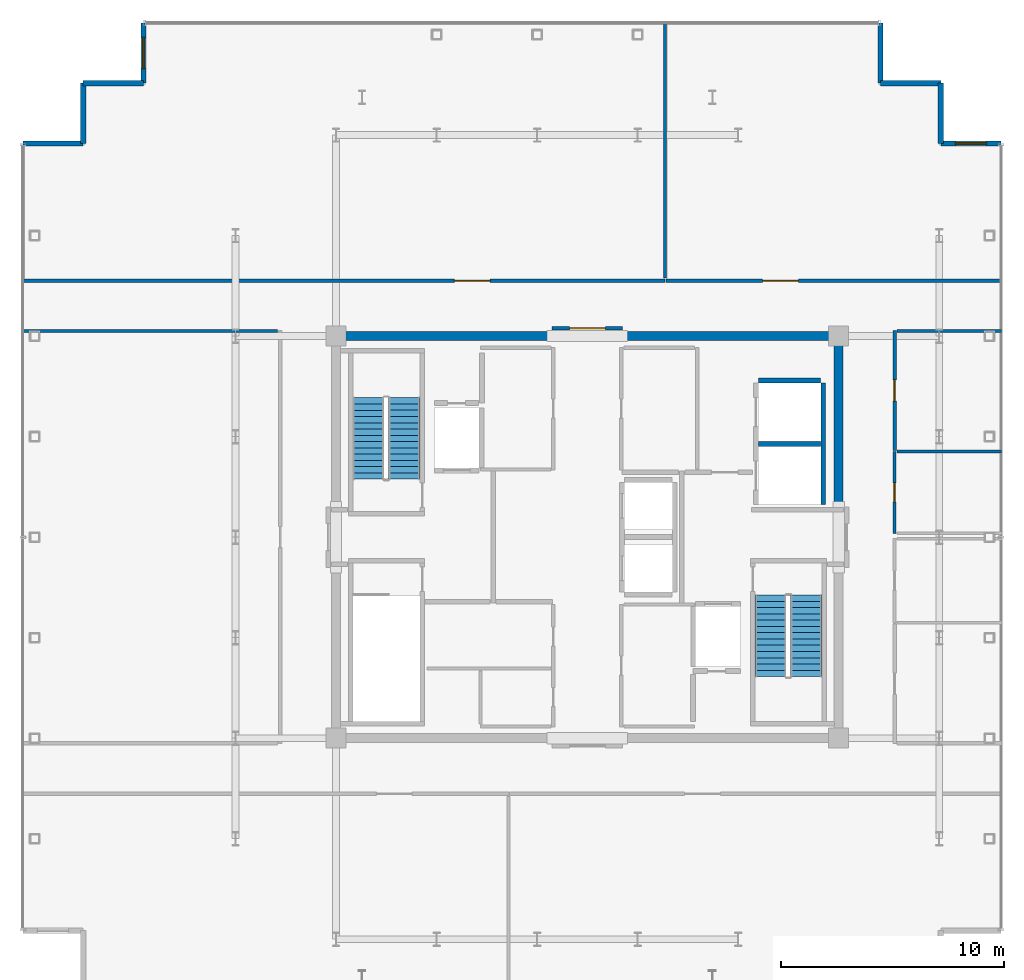
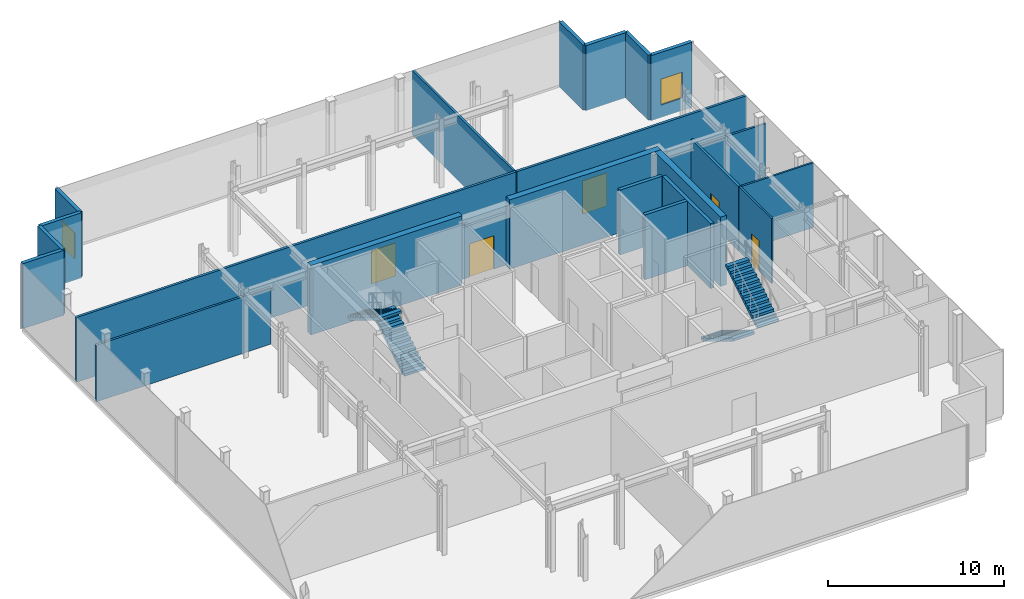
# One storey, part 15 of 17: 23 walls, 5 doors, 4 stair flights, 2 windows, 7 openings, 2 elements without a shape of their own.
"""IFC4 building model written with IfcOpenShell, lengths in metres."""

from ifc_helpers import new_model, si_unit, direction, frame, frame_2d, origin, place, context, subcontext, project, spatial, polyline, rectangle, outline, extrude, source, transform, mapped, material, layer, layer_set, type_object, element, fill, aggregate, save


model = new_model("IFC4")

# Units and contexts
model_context = context("Model", 3, precision=1e-05, world=origin(), true_north=direction((0.0, 1.0)))
body_context = subcontext(model_context, "Body", "Model", "MODEL_VIEW")
ifc_project = project(units=[si_unit("LENGTHUNIT", "METRE"), si_unit("AREAUNIT", "SQUARE_METRE"), si_unit("VOLUMEUNIT", "CUBIC_METRE"), si_unit("PLANEANGLEUNIT", "RADIAN"), si_unit("MASSUNIT", "GRAM", prefix="KILO")], contexts=[model_context])

# Site, building, storey
site_placement = place(None, origin())
site = spatial("IfcSite", under=ifc_project, at=site_placement, CompositionType="ELEMENT")
building_placement = place(site_placement, origin())
building = spatial("IfcBuilding", under=site, at=building_placement, Name="Nefas-Gora Pilgrimage Tower", CompositionType="ELEMENT")
storey_placement = place(building_placement, frame((0.0, 0.0, 353.800048828125)))
storey = spatial("IfcBuildingStorey", under=building, at=storey_placement, Name="L89", CompositionType="ELEMENT", Elevation=353.800048828125)

# Walls
ifc_material_1 = material(Name="Concrete C50/60", Category="concrete")
ifc_layer_1 = layer(ifc_material_1, 0.39990234375)
ifc_layer_set_1 = layer_set([ifc_layer_1], Name="Concrete C50/60")
wall_type_1 = type_object("IfcWallType", Name="SW-CORE-400", PredefinedType="SHEAR", material=ifc_layer_set_1)
shared_shape_1 = source(origin(), body_context, "Body", "SweptSolid", [
    extrude(rectangle(XDim=9.89990234375, YDim=0.39990234375, at=frame_2d((4.949951171875, 0.0))), origin(), (0.0, 0.0, 1.0), 4.800048828125),
])
for number, where, z_axis, x_axis, name in (
    (1, (-11.449951171875, 9.0, 0.0), (0.0, 0.0, 1.0), (1.0, 0.0, 0.0), "L89 Core Shear Wall N-West"),
    (2, (1.550048828125, 9.0, 0.0), (0.0, 0.0, 1.0), (1.0, 0.0, 0.0), "L89 Core Shear Wall N-East"),
):
    element("IfcWall", number, at=place(storey_placement, frame(where, z_axis=z_axis, x_axis=x_axis)), inside=storey, type_object=wall_type_1, Name=name, PredefinedType="SHEAR", context=body_context, shape_type="MappedRepresentation", body=[
        mapped(shared_shape_1, transform((0.0, 0.0, 0.0), x_axis=(1.0, 0.0, 0.0), y_axis=(0.0, 1.0, 0.0), z_axis=(0.0, 0.0, 1.0), scale=1.0)),
    ])
shared_shape_2 = source(origin(), body_context, "Body", "SweptSolid", [
    extrude(rectangle(XDim=7.449951171875, YDim=0.39990234375, at=frame_2d((3.72509765625, 0.0))), origin(), (0.0, 0.0, 1.0), 4.800048828125),
])
wall_1_placement = place(storey_placement, frame((11.25, 1.35009765625, 0.0), z_axis=(0.0, 0.0, 1.0), x_axis=(0.0, 1.0, 0.0)))
element("IfcWall", 3, at=wall_1_placement, inside=storey, type_object=wall_type_1, Name="L89 Core Shear Wall E-North", PredefinedType="SHEAR", context=body_context, shape_type="MappedRepresentation", body=[
    mapped(shared_shape_2, transform((0.0, 0.0, 0.0), x_axis=(1.0, 0.0, 0.0), y_axis=(0.0, 1.0, 0.0), z_axis=(0.0, 0.0, 1.0), scale=1.0)),
])

# Wall, opening, window
ifc_material_2 = material(Name="Precast concrete C45/55", Category="concrete")
ifc_layer_2 = layer(ifc_material_2, 0.239990234375)
ifc_layer_set_2 = layer_set([ifc_layer_2], Name="Precast concrete C45/55")
wall_type_2 = type_object("IfcWallType", Name="EW-SERR-240", PredefinedType="SHEAR", material=ifc_layer_set_2)
shared_shape_3 = source(origin(), body_context, "Body", "SweptSolid", [
    extrude(rectangle(XDim=2.699951171875, YDim=0.239990234375, at=frame_2d((1.35009765625, 0.0))), origin(), (0.0, 0.0, 1.0), 4.5),
])
wall_2_placement = place(storey_placement, frame((18.52001953125, 17.6201171875, 0.0), z_axis=(0.0, 0.0, 1.0), x_axis=(-1.0, 0.0, 0.0)))
wall_2 = element("IfcWall", 4, at=wall_2_placement, inside=storey, type_object=wall_type_2, Name="L89 Serrated Corner Shear Pier Wall 1", PredefinedType="SHEAR", context=body_context, shape_type="MappedRepresentation", body=[
    mapped(shared_shape_3, transform((0.0, 0.0, 0.0), x_axis=(1.0, 0.0, 0.0), y_axis=(0.0, 1.0, 0.0), z_axis=(0.0, 0.0, 1.0), scale=1.0)),
])
opening_1_placement = place(wall_2_placement, frame((0.64990234375, 0.0, 0.85009765625)))
opening_1 = element("IfcOpeningElement", 5, at=opening_1_placement, cuts=wall_2, Name="Opening W-V2", PredefinedType="OPENING", context=body_context, shape_type="SweptSolid", body=[
    extrude(rectangle(XDim=1.39990234375, YDim=1.800048828125, at=frame_2d((0.699951171875, 0.89990234375))), frame((0.0, 0.1298828125, 0.0), z_axis=(0.0, -1.0, 0.0), x_axis=(1.0, 0.0, 0.0)), (0.0, 0.0, 1.0), 0.260009765625),
])
ifc_material_3 = material(Name="Dark ceramic-fritted operable aluminium-glass window", Category="aluminium")
window_type = type_object("IfcWindowType", Name="WIN-VENT-1400x1800", PartitioningType="SINGLE_PANEL", PredefinedType="WINDOW", material=ifc_material_3)
shared_shape_4 = source(origin(), body_context, "Body", "SweptSolid", [
    extrude(rectangle(XDim=1.39990234375, YDim=1.800048828125, at=frame_2d((0.699951171875, 0.89990234375))), frame((0.0, 0.030029296875, 0.0), z_axis=(0.0, -1.0, 0.0), x_axis=(1.0, 0.0, 0.0)), (0.0, 0.0, 1.0), 0.06005859375),
])
window_1_placement = place(opening_1_placement, origin())
window_1 = element("IfcWindow", 6, at=window_1_placement, inside=storey, type_object=window_type, Name="L89 Operable Parallel-Outswing Window 1", OverallHeight=1.800048828125, OverallWidth=1.39990234375, PartitioningType="SINGLE_PANEL", PredefinedType="WINDOW", context=body_context, shape_type="MappedRepresentation", body=[
    mapped(shared_shape_4, transform((0.0, 0.0, 0.0), x_axis=(1.0, 0.0, 0.0), y_axis=(0.0, 1.0, 0.0), z_axis=(0.0, 0.0, 1.0), scale=1.0)),
])
fill(opening_1, window_1)

# Walls
for number, where, z_axis, x_axis, name in (
    (7, (15.820068359375, 17.6201171875, 0.0), (0.0, 0.0, 1.0), (0.0, 1.0, 0.0), "L89 Serrated Corner Shear Pier Wall 2"),
    (8, (15.820068359375, 20.320068359375, 0.0), (0.0, 0.0, 1.0), (-1.0, 0.0, 0.0), "L89 Serrated Corner Shear Pier Wall 3"),
    (9, (13.1201171875, 20.320068359375, 0.0), (0.0, 0.0, 1.0), (0.0, 1.0, 0.0), "L89 Serrated Corner Shear Pier Wall 4"),
):
    element("IfcWall", number, at=place(storey_placement, frame(where, z_axis=z_axis, x_axis=x_axis)), inside=storey, type_object=wall_type_2, Name=name, PredefinedType="SHEAR", context=body_context, shape_type="MappedRepresentation", body=[
        mapped(shared_shape_3, transform((0.0, 0.0, 0.0), x_axis=(1.0, 0.0, 0.0), y_axis=(0.0, 1.0, 0.0), z_axis=(0.0, 0.0, 1.0), scale=1.0)),
    ])

# Wall, opening, window
wall_3_placement = place(storey_placement, frame((-19.8701171875, 23.02001953125, 0.0), z_axis=(0.0, 0.0, 1.0), x_axis=(0.0, -1.0, 0.0)))
wall_3 = element("IfcWall", 10, at=wall_3_placement, inside=storey, type_object=wall_type_2, Name="L89 Serrated Corner Shear Pier Wall 5", PredefinedType="SHEAR", context=body_context, shape_type="MappedRepresentation", body=[
    mapped(shared_shape_3, transform((0.0, 0.0, 0.0), x_axis=(1.0, 0.0, 0.0), y_axis=(0.0, 1.0, 0.0), z_axis=(0.0, 0.0, 1.0), scale=1.0)),
])
opening_2_placement = place(wall_3_placement, frame((0.64990234375, 0.0, 0.85009765625)))
opening_2 = element("IfcOpeningElement", 11, at=opening_2_placement, cuts=wall_3, Name="Opening W-V2", PredefinedType="OPENING", context=body_context, shape_type="SweptSolid", body=[
    extrude(rectangle(XDim=1.39990234375, YDim=1.800048828125, at=frame_2d((0.699951171875, 0.89990234375))), frame((0.0, 0.1298828125, 0.0), z_axis=(0.0, -1.0, 0.0), x_axis=(1.0, 0.0, 0.0)), (0.0, 0.0, 1.0), 0.260009765625),
])
window_2_placement = place(opening_2_placement, origin())
window_2 = element("IfcWindow", 12, at=window_2_placement, inside=storey, type_object=window_type, Name="L89 Operable Parallel-Outswing Window 5", OverallHeight=1.800048828125, OverallWidth=1.39990234375, PartitioningType="SINGLE_PANEL", PredefinedType="WINDOW", context=body_context, shape_type="MappedRepresentation", body=[
    mapped(shared_shape_4, transform((0.0, 0.0, 0.0), x_axis=(1.0, 0.0, 0.0), y_axis=(0.0, 1.0, 0.0), z_axis=(0.0, 0.0, 1.0), scale=1.0)),
])
fill(opening_2, window_2)

# Walls
for number, where, z_axis, x_axis, name in (
    (13, (-19.8701171875, 20.320068359375, 0.0), (0.0, 0.0, 1.0), (-1.0, 0.0, 0.0), "L89 Serrated Corner Shear Pier Wall 6"),
    (14, (-22.570068359375, 20.320068359375, 0.0), (0.0, 0.0, 1.0), (0.0, -1.0, 0.0), "L89 Serrated Corner Shear Pier Wall 7"),
    (15, (-22.570068359375, 17.6201171875, 0.0), (0.0, 0.0, 1.0), (-1.0, 0.0, 0.0), "L89 Serrated Corner Shear Pier Wall 8"),
):
    element("IfcWall", number, at=place(storey_placement, frame(where, z_axis=z_axis, x_axis=x_axis)), inside=storey, type_object=wall_type_2, Name=name, PredefinedType="SHEAR", context=body_context, shape_type="MappedRepresentation", body=[
        mapped(shared_shape_3, transform((0.0, 0.0, 0.0), x_axis=(1.0, 0.0, 0.0), y_axis=(0.0, 1.0, 0.0), z_axis=(0.0, 0.0, 1.0), scale=1.0)),
    ])
ifc_material_4 = material(Name="Concrete C40/50", Category="concrete")
ifc_layer_3 = layer(ifc_material_4, 0.219970703125)
ifc_layer_set_3 = layer_set([ifc_layer_3], Name="Concrete C40/50")
wall_type_3 = type_object("IfcWallType", Name="IW-SHAFT-220", PredefinedType="SOLIDWALL", material=ifc_layer_set_3)
shared_shape_5 = source(origin(), body_context, "Body", "SweptSolid", [
    extrude(rectangle(XDim=5.449951171875, YDim=0.219970703125, at=frame_2d((2.72509765625, 0.0))), origin(), (0.0, 0.0, 1.0), 4.48486328125),
])
wall_4_placement = place(storey_placement, frame((10.56005859375, 1.449951171875, 0.0), z_axis=(0.0, 0.0, 1.0), x_axis=(0.0, 1.0, 0.0)))
element("IfcWall", 16, at=wall_4_placement, inside=storey, type_object=wall_type_3, Name="L89 Hoistway Wall SL-01-02-E", PredefinedType="SOLIDWALL", context=body_context, shape_type="MappedRepresentation", body=[
    mapped(shared_shape_5, transform((0.0, 0.0, 0.0), x_axis=(1.0, 0.0, 0.0), y_axis=(0.0, 1.0, 0.0), z_axis=(0.0, 0.0, 1.0), scale=1.0)),
])
shared_shape_6 = source(origin(), body_context, "Body", "SweptSolid", [
    extrude(rectangle(XDim=2.780029296875, YDim=0.219970703125, at=frame_2d((1.39013671875, 0.0))), origin(), (0.0, 0.0, 1.0), 4.48486328125),
])
for number, where, z_axis, x_axis, name in (
    (17, (7.659912109375, 4.175048828125, 0.0), (0.0, 0.0, 1.0), (1.0, 0.0, 0.0), "L89 Hoistway Wall SL-01-02-DIV"),
    (18, (10.43994140625, 7.010009765625, 0.0), (0.0, 0.0, 1.0), (-1.0, 0.0, 0.0), "L89 Hoistway Wall SL-02-N"),
):
    element("IfcWall", number, at=place(storey_placement, frame(where, z_axis=z_axis, x_axis=x_axis)), inside=storey, type_object=wall_type_3, Name=name, PredefinedType="SOLIDWALL", context=body_context, shape_type="MappedRepresentation", body=[
        mapped(shared_shape_6, transform((0.0, 0.0, 0.0), x_axis=(1.0, 0.0, 0.0), y_axis=(0.0, 1.0, 0.0), z_axis=(0.0, 0.0, 1.0), scale=1.0)),
    ])
ifc_material_5 = material(Name="Gypsum twin-stud partition")
ifc_layer_4 = layer(ifc_material_5, 0.139892578125)
ifc_layer_set_4 = layer_set([ifc_layer_4], Name="Gypsum twin-stud partition")
wall_type_4 = type_object("IfcWallType", Name="IW-UNIT-140", PredefinedType="PARTITIONING", material=ifc_layer_set_4)
shared_shape_7 = source(origin(), body_context, "Body", "SweptSolid", [
    extrude(rectangle(XDim=11.419921875, YDim=0.139892578125, at=frame_2d((5.7099609375, 0.0))), origin(), (0.0, 0.0, 1.0), 3.925048828125),
])
wall_5_placement = place(storey_placement, frame((-25.2900390625, 9.22998046875, 0.0), z_axis=(0.0, 0.0, 1.0), x_axis=(1.0, 0.0, 0.0)))
element("IfcWall", 19, at=wall_5_placement, inside=storey, type_object=wall_type_4, Name="L89 Heritage Exhibition Lounge Partition Wall 40", PredefinedType="PARTITIONING", context=body_context, shape_type="MappedRepresentation", body=[
    mapped(shared_shape_7, transform((0.0, 0.0, 0.0), x_axis=(1.0, 0.0, 0.0), y_axis=(0.0, 1.0, 0.0), z_axis=(0.0, 0.0, 1.0), scale=1.0)),
])

# Wall, opening, door
ifc_material_6 = material(Name="Gypsum acoustic stud partition")
ifc_layer_5 = layer(ifc_material_6, 0.159912109375)
ifc_layer_set_5 = layer_set([ifc_layer_5], Name="Gypsum acoustic stud partition")
wall_type_5 = type_object("IfcWallType", Name="IW-CORR-160", PredefinedType="PARTITIONING", material=ifc_layer_set_5)
shared_shape_8 = source(origin(), body_context, "Body", "SweptSolid", [
    extrude(rectangle(XDim=3.16015625, YDim=0.159912109375, at=frame_2d((1.580078125, 0.0))), origin(), (0.0, 0.0, 1.0), 3.574951171875),
])
wall_6_placement = place(storey_placement, frame((-1.580078125, 9.35009765625, 0.0), z_axis=(0.0, 0.0, 1.0), x_axis=(1.0, 0.0, 0.0)))
wall_6 = element("IfcWall", 20, at=wall_6_placement, inside=storey, type_object=wall_type_5, Name="L89 Central Lift Lobby North Portal Wall 17", PredefinedType="PARTITIONING", context=body_context, shape_type="MappedRepresentation", body=[
    mapped(shared_shape_8, transform((0.0, 0.0, 0.0), x_axis=(1.0, 0.0, 0.0), y_axis=(0.0, 1.0, 0.0), z_axis=(0.0, 0.0, 1.0), scale=1.0)),
])
opening_3_placement = place(wall_6_placement, frame((0.780029296875, 0.0, 0.0)))
opening_3 = element("IfcOpeningElement", 21, at=opening_3_placement, cuts=wall_6, Name="Opening ID-HL1", PredefinedType="OPENING", context=body_context, shape_type="SweptSolid", body=[
    extrude(rectangle(XDim=1.60009765625, YDim=2.300048828125, at=frame_2d((0.800048828125, 1.14990234375))), frame((0.0, 0.08984375, 0.0), z_axis=(0.0, -1.0, 0.0), x_axis=(1.0, 0.0, 0.0)), (0.0, 0.0, 1.0), 0.179931640625),
])
ifc_material_7 = material(Name="Double acoustic timber assembly hall door", Category="wood")
door_type_1 = type_object("IfcDoorType", Name="DR-INT-HALL-1600", OperationType="DOUBLE_DOOR_SINGLE_SWING", PredefinedType="DOOR", material=ifc_material_7)
shared_shape_9 = source(origin(), body_context, "Body", "SweptSolid", [
    extrude(rectangle(XDim=1.60009765625, YDim=2.300048828125, at=frame_2d((0.800048828125, 1.14990234375))), frame((0.0, 0.02490234375, 0.0), z_axis=(0.0, -1.0, 0.0), x_axis=(1.0, 0.0, 0.0)), (0.0, 0.0, 1.0), 0.050048828125),
])
door_1_placement = place(opening_3_placement, origin())
door_1 = element("IfcDoor", 22, at=door_1_placement, inside=storey, type_object=door_type_1, Name="L89 Central Lift Lobby North Portal Door 6", OperationType="DOUBLE_DOOR_SINGLE_SWING", OverallHeight=2.300048828125, OverallWidth=1.60009765625, PredefinedType="DOOR", context=body_context, shape_type="MappedRepresentation", body=[
    mapped(shared_shape_9, transform((0.0, 0.0, 0.0), x_axis=(1.0, 0.0, 0.0), y_axis=(0.0, 1.0, 0.0), z_axis=(0.0, 0.0, 1.0), scale=1.0)),
])
fill(opening_3, door_1)

# Wall
shared_shape_10 = source(origin(), body_context, "Body", "SweptSolid", [
    extrude(rectangle(XDim=4.669921875, YDim=0.139892578125, at=frame_2d((2.3349609375, 0.0))), origin(), (0.0, 0.0, 1.0), 3.925048828125),
])
wall_7_placement = place(storey_placement, frame((13.8701171875, 9.22998046875, 0.0), z_axis=(0.0, 0.0, 1.0), x_axis=(1.0, 0.0, 0.0)))
element("IfcWall", 23, at=wall_7_placement, inside=storey, type_object=wall_type_4, Name="L89 Lookout Beverage Pantry Partition Wall 48", PredefinedType="PARTITIONING", context=body_context, shape_type="MappedRepresentation", body=[
    mapped(shared_shape_10, transform((0.0, 0.0, 0.0), x_axis=(1.0, 0.0, 0.0), y_axis=(0.0, 1.0, 0.0), z_axis=(0.0, 0.0, 1.0), scale=1.0)),
])

# Wall, opening, door
shared_shape_11 = source(origin(), body_context, "Body", "SweptSolid", [
    extrude(rectangle(XDim=28.77001953125, YDim=0.159912109375, at=frame_2d((14.385009765625, 0.0))), origin(), (0.0, 0.0, 1.0), 4.48486328125),
])
wall_8_placement = place(storey_placement, frame((-25.2900390625, 11.47998046875, 0.0), z_axis=(0.0, 0.0, 1.0), x_axis=(1.0, 0.0, 0.0)))
wall_8 = element("IfcWall", 24, at=wall_8_placement, inside=storey, type_object=wall_type_5, Name="L89 Addis Ababa North Horizon Observation Deck Partition Wall 32", PredefinedType="PARTITIONING", context=body_context, shape_type="MappedRepresentation", body=[
    mapped(shared_shape_11, transform((0.0, 0.0, 0.0), x_axis=(1.0, 0.0, 0.0), y_axis=(0.0, 1.0, 0.0), z_axis=(0.0, 0.0, 1.0), scale=1.0)),
])
opening_4_placement = place(wall_8_placement, frame((19.340087890625, 0.0, 0.0)))
opening_4 = element("IfcOpeningElement", 25, at=opening_4_placement, cuts=wall_8, Name="Opening ID-HL1", PredefinedType="OPENING", context=body_context, shape_type="SweptSolid", body=[
    extrude(rectangle(XDim=1.60009765625, YDim=2.300048828125, at=frame_2d((0.800048828125, 1.14990234375))), frame((0.0, 0.08984375, 0.0), z_axis=(0.0, -1.0, 0.0), x_axis=(1.0, 0.0, 0.0)), (0.0, 0.0, 1.0), 0.179931640625),
])
door_2_placement = place(opening_4_placement, origin())
door_2 = element("IfcDoor", 26, at=door_2_placement, inside=storey, type_object=door_type_1, Name="L89 Addis Ababa North Horizon Observation Deck Door 13", OperationType="DOUBLE_DOOR_SINGLE_SWING", OverallHeight=2.300048828125, OverallWidth=1.60009765625, PredefinedType="DOOR", context=body_context, shape_type="MappedRepresentation", body=[
    mapped(shared_shape_9, transform((0.0, 0.0, 0.0), x_axis=(1.0, 0.0, 0.0), y_axis=(0.0, 1.0, 0.0), z_axis=(0.0, 0.0, 1.0), scale=1.0)),
])
fill(opening_4, door_2)

# Wall
shared_shape_12 = source(origin(), body_context, "Body", "SweptSolid", [
    extrude(rectangle(XDim=11.43994140625, YDim=0.139892578125, at=frame_2d((5.719970703125, 0.0))), origin(), (0.0, 0.0, 1.0), 4.48486328125),
])
wall_9_placement = place(storey_placement, frame((3.469970703125, 11.60009765625, 0.0), z_axis=(0.0, 0.0, 1.0), x_axis=(0.0, 1.0, 0.0)))
element("IfcWall", 27, at=wall_9_placement, inside=storey, type_object=wall_type_4, Name="L89 Addis Ababa North Horizon Observation Deck Partition Wall 33", PredefinedType="PARTITIONING", context=body_context, shape_type="MappedRepresentation", body=[
    mapped(shared_shape_12, transform((0.0, 0.0, 0.0), x_axis=(1.0, 0.0, 0.0), y_axis=(0.0, 1.0, 0.0), z_axis=(0.0, 0.0, 1.0), scale=1.0)),
])

# Wall, opening, door
shared_shape_13 = source(origin(), body_context, "Body", "SweptSolid", [
    extrude(rectangle(XDim=15.02001953125, YDim=0.159912109375, at=frame_2d((7.510009765625, 0.0))), origin(), (0.0, 0.0, 1.0), 4.48486328125),
])
wall_10_placement = place(storey_placement, frame((3.52001953125, 11.47998046875, 0.0), z_axis=(0.0, 0.0, 1.0), x_axis=(1.0, 0.0, 0.0)))
wall_10 = element("IfcWall", 28, at=wall_10_placement, inside=storey, type_object=wall_type_5, Name="L89 Entoto Ridge Viewing Gallery Partition Wall 34", PredefinedType="PARTITIONING", context=body_context, shape_type="MappedRepresentation", body=[
    mapped(shared_shape_13, transform((0.0, 0.0, 0.0), x_axis=(1.0, 0.0, 0.0), y_axis=(0.0, 1.0, 0.0), z_axis=(0.0, 0.0, 1.0), scale=1.0)),
])
opening_5_placement = place(wall_10_placement, frame((4.330078125, 0.0, 0.0)))
opening_5 = element("IfcOpeningElement", 29, at=opening_5_placement, cuts=wall_10, Name="Opening ID-HL1", PredefinedType="OPENING", context=body_context, shape_type="SweptSolid", body=[
    extrude(rectangle(XDim=1.60009765625, YDim=2.300048828125, at=frame_2d((0.800048828125, 1.14990234375))), frame((0.0, 0.08984375, 0.0), z_axis=(0.0, -1.0, 0.0), x_axis=(1.0, 0.0, 0.0)), (0.0, 0.0, 1.0), 0.179931640625),
])
door_3_placement = place(opening_5_placement, origin())
door_3 = element("IfcDoor", 30, at=door_3_placement, inside=storey, type_object=door_type_1, Name="L89 Entoto Ridge Viewing Gallery Door 14", OperationType="DOUBLE_DOOR_SINGLE_SWING", OverallHeight=2.300048828125, OverallWidth=1.60009765625, PredefinedType="DOOR", context=body_context, shape_type="MappedRepresentation", body=[
    mapped(shared_shape_9, transform((0.0, 0.0, 0.0), x_axis=(1.0, 0.0, 0.0), y_axis=(0.0, 1.0, 0.0), z_axis=(0.0, 0.0, 1.0), scale=1.0)),
])
fill(opening_5, door_3)

ifc_material_8 = material(Name="Moisture-resistant fire-rated gypsum partition")
ifc_layer_6 = layer(ifc_material_8, 0.1201171875)
ifc_layer_set_6 = layer_set([ifc_layer_6], Name="Moisture-resistant fire-rated gypsum partition")
wall_type_6 = type_object("IfcWallType", Name="IW-WET-120", PredefinedType="PLUMBINGWALL", material=ifc_layer_set_6)
shared_shape_14 = source(origin(), body_context, "Body", "SweptSolid", [
    extrude(rectangle(XDim=3.68017578125, YDim=0.1201171875, at=frame_2d((1.840087890625, 0.0))), origin(), (0.0, 0.0, 1.0), 4.48486328125),
])
wall_11_placement = place(storey_placement, frame((13.75, 0.159912109375, 0.0), z_axis=(0.0, 0.0, 1.0), x_axis=(0.0, 1.0, 0.0)))
wall_11 = element("IfcWall", 31, at=wall_11_placement, inside=storey, type_object=wall_type_6, Name="L89 Observation Accessible WC Partition Wall 41", PredefinedType="PLUMBINGWALL", context=body_context, shape_type="MappedRepresentation", body=[
    mapped(shared_shape_14, transform((0.0, 0.0, 0.0), x_axis=(1.0, 0.0, 0.0), y_axis=(0.0, 1.0, 0.0), z_axis=(0.0, 0.0, 1.0), scale=1.0)),
])
opening_6_placement = place(wall_11_placement, frame((1.4150390625, 0.0, 0.0)))
opening_6 = element("IfcOpeningElement", 32, at=opening_6_placement, cuts=wall_11, Name="Opening ID-BT1", PredefinedType="OPENING", context=body_context, shape_type="SweptSolid", body=[
    extrude(rectangle(XDim=0.85009765625, YDim=2.10009765625, at=frame_2d((0.425048828125, 1.050048828125))), frame((0.0, 0.070068359375, 0.0), z_axis=(0.0, -1.0, 0.0), x_axis=(1.0, 0.0, 0.0)), (0.0, 0.0, 1.0), 0.14013671875),
])
ifc_material_9 = material(Name="Moisture-resistant fire-rated timber door", Category="wood")
door_type_2 = type_object("IfcDoorType", Name="DR-INT-BATH-850", OperationType="NOTDEFINED", PredefinedType="DOOR", material=ifc_material_9)
shared_shape_15 = source(origin(), body_context, "Body", "SweptSolid", [
    extrude(rectangle(XDim=0.85009765625, YDim=2.10009765625, at=frame_2d((0.425048828125, 1.050048828125))), frame((0.0, 0.02490234375, 0.0), z_axis=(0.0, -1.0, 0.0), x_axis=(1.0, 0.0, 0.0)), (0.0, 0.0, 1.0), 0.050048828125),
])
door_4_placement = place(opening_6_placement, origin())
door_4 = element("IfcDoor", 33, at=door_4_placement, inside=storey, type_object=door_type_2, Name="L89 Observation Accessible WC Door 18", OperationType="SINGLE_SWING_LEFT", OverallHeight=2.10009765625, OverallWidth=0.85009765625, PredefinedType="DOOR", context=body_context, shape_type="MappedRepresentation", body=[
    mapped(shared_shape_15, transform((0.0, 0.0, 0.0), x_axis=(1.0, 0.0, 0.0), y_axis=(0.0, 1.0, 0.0), z_axis=(0.0, 0.0, 1.0), scale=1.0)),
])
fill(opening_6, door_4)

# Wall
shared_shape_16 = source(origin(), body_context, "Body", "SweptSolid", [
    extrude(rectangle(XDim=4.68994140625, YDim=0.1201171875, at=frame_2d((2.344970703125, 0.0))), origin(), (0.0, 0.0, 1.0), 4.48486328125),
])
wall_12_placement = place(storey_placement, frame((13.85009765625, 3.830078125, 0.0), z_axis=(0.0, 0.0, 1.0), x_axis=(1.0, 0.0, 0.0)))
element("IfcWall", 34, at=wall_12_placement, inside=storey, type_object=wall_type_6, Name="L89 Observation Accessible WC Partition Wall 42", PredefinedType="PLUMBINGWALL", context=body_context, shape_type="MappedRepresentation", body=[
    mapped(shared_shape_16, transform((0.0, 0.0, 0.0), x_axis=(1.0, 0.0, 0.0), y_axis=(0.0, 1.0, 0.0), z_axis=(0.0, 0.0, 1.0), scale=1.0)),
])

# Wall, opening, door
shared_shape_17 = source(origin(), body_context, "Body", "SweptSolid", [
    extrude(rectangle(XDim=5.360107421875, YDim=0.159912109375, at=frame_2d((2.68017578125, 0.0))), origin(), (0.0, 0.0, 1.0), 4.48486328125),
])
wall_13_placement = place(storey_placement, frame((13.75, 3.8798828125, 0.0), z_axis=(0.0, 0.0, 1.0), x_axis=(0.0, 1.0, 0.0)))
wall_13 = element("IfcWall", 35, at=wall_13_placement, inside=storey, type_object=wall_type_5, Name="L89 Lookout Beverage Pantry Partition Wall 47", PredefinedType="PARTITIONING", context=body_context, shape_type="MappedRepresentation", body=[
    mapped(shared_shape_17, transform((0.0, 0.0, 0.0), x_axis=(1.0, 0.0, 0.0), y_axis=(0.0, 1.0, 0.0), z_axis=(0.0, 0.0, 1.0), scale=1.0)),
])
opening_7_placement = place(wall_13_placement, frame((2.205078125, 0.0, 0.0)))
opening_7 = element("IfcOpeningElement", 36, at=opening_7_placement, cuts=wall_13, Name="Opening ID-GR1", PredefinedType="OPENING", context=body_context, shape_type="SweptSolid", body=[
    extrude(rectangle(XDim=0.949951171875, YDim=2.10009765625, at=frame_2d((0.47509765625, 1.050048828125))), frame((0.0, 0.08984375, 0.0), z_axis=(0.0, -1.0, 0.0), x_axis=(1.0, 0.0, 0.0)), (0.0, 0.0, 1.0), 0.179931640625),
])
ifc_material_10 = material(Name="Solid core oak fire-rated guest entrance door")
door_type_3 = type_object("IfcDoorType", Name="DR-INT-GUEST-950", OperationType="NOTDEFINED", PredefinedType="DOOR", material=ifc_material_10)
shared_shape_18 = source(origin(), body_context, "Body", "SweptSolid", [
    extrude(rectangle(XDim=0.949951171875, YDim=2.10009765625, at=frame_2d((0.47509765625, 1.050048828125))), frame((0.0, 0.02490234375, 0.0), z_axis=(0.0, -1.0, 0.0), x_axis=(1.0, 0.0, 0.0)), (0.0, 0.0, 1.0), 0.050048828125),
])
door_5_placement = place(opening_7_placement, origin())
door_5 = element("IfcDoor", 37, at=door_5_placement, inside=storey, type_object=door_type_3, Name="L89 Lookout Beverage Pantry Door 20", OperationType="SINGLE_SWING_LEFT", OverallHeight=2.10009765625, OverallWidth=0.949951171875, PredefinedType="DOOR", context=body_context, shape_type="MappedRepresentation", body=[
    mapped(shared_shape_18, transform((0.0, 0.0, 0.0), x_axis=(1.0, 0.0, 0.0), y_axis=(0.0, 1.0, 0.0), z_axis=(0.0, 0.0, 1.0), scale=1.0)),
])
fill(opening_7, door_5)

# Stair, stair flights
ifc_material_11 = material(Name="Concrete C45/55", Category="concrete")
stair_type = type_object("IfcStairType", Name="STR-1400-R1714", PredefinedType="HALF_TURN_STAIR", material=ifc_material_11)
stair_1_placement = place(storey_placement, origin())
stair_1 = element("IfcStair", 38, at=stair_1_placement, inside=storey, type_object=stair_type, Name="L89 Pressurised Tower Exit Stair ST-01", PredefinedType="HALF_TURN_STAIR")
stair_flight_type = type_object("IfcStairFlightType", Name="STF-1400-R1714", PredefinedType="STRAIGHT", material=ifc_material_11)
shared_shape_19 = source(origin(), body_context, "Body", "SweptSolid", [
    extrude(outline(polyline([(0.0, 0.0), (0.0, 0.17138671875), (0.280029296875, 0.17138671875), (0.280029296875, 0.3427734375), (0.56005859375, 0.3427734375), (0.56005859375, 0.514404296875), (0.840087890625, 0.514404296875), (0.840087890625, 0.685791015625), (1.1201171875, 0.685791015625), (1.1201171875, 0.857177734375), (1.39990234375, 0.857177734375), (1.39990234375, 1.028564453125), (1.679931640625, 1.028564453125), (1.679931640625, 1.199951171875), (1.9599609375, 1.199951171875), (1.9599609375, 1.371337890625), (2.239990234375, 1.371337890625), (2.239990234375, 1.54296875), (2.52001953125, 1.54296875), (2.52001953125, 1.71435546875), (2.800048828125, 1.71435546875), (2.800048828125, 1.8857421875), (3.080078125, 1.8857421875), (3.080078125, 2.05712890625), (3.360107421875, 2.05712890625), (3.360107421875, 2.228515625), (3.639892578125, 2.228515625), (3.639892578125, 2.39990234375), (3.639892578125, 2.052734375), (0.287109375, 0.0), (0.0, 0.0)])), frame((0.0, 0.699951171875, 0.0), z_axis=(0.0, -1.0, 0.0), x_axis=(1.0, 0.0, 0.0)), (0.0, 0.0, 1.0), 1.39990234375),
])
stair_flight_1_placement = place(storey_placement, frame((-8.199951171875, 2.60009765625, 0.0), z_axis=(0.0, 0.0, 1.0), x_axis=(0.0, 1.0, 0.0)))
stair_flight_1 = element("IfcStairFlight", 39, at=stair_flight_1_placement, type_object=stair_flight_type, Name="ST-01 flight 1", NumberOfRisers=14, NumberOfTreads=13, PredefinedType="STRAIGHT", RiserHeight=0.171428571, TreadLength=0.28, context=body_context, shape_type="MappedRepresentation", body=[
    mapped(shared_shape_19, transform((0.0, 0.0, 0.0), x_axis=(1.0, 0.0, 0.0), y_axis=(0.0, 1.0, 0.0), z_axis=(0.0, 0.0, 1.0), scale=1.0)),
])
stair_flight_2_placement = place(storey_placement, frame((-9.800048828125, 6.239990234375, 2.39990234375), z_axis=(0.0, 0.0, 1.0), x_axis=(0.0, -1.0, 0.0)))
stair_flight_2 = element("IfcStairFlight", 40, at=stair_flight_2_placement, type_object=stair_flight_type, Name="ST-01 flight 2", NumberOfRisers=14, NumberOfTreads=13, PredefinedType="STRAIGHT", RiserHeight=0.171428571, TreadLength=0.28, context=body_context, shape_type="MappedRepresentation", body=[
    mapped(shared_shape_19, transform((0.0, 0.0, 0.0), x_axis=(1.0, 0.0, 0.0), y_axis=(0.0, 1.0, 0.0), z_axis=(0.0, 0.0, 1.0), scale=1.0)),
])
aggregate(stair_1, [stair_flight_1, stair_flight_2])

stair_2_placement = place(storey_placement, origin())
stair_2 = element("IfcStair", 41, at=stair_2_placement, inside=storey, type_object=stair_type, Name="L89 Pressurised Tower Exit Stair ST-02", PredefinedType="HALF_TURN_STAIR")
stair_flight_3_placement = place(storey_placement, frame((8.199951171875, -2.60009765625, 0.0), z_axis=(0.0, 0.0, 1.0), x_axis=(0.0, -1.0, 0.0)))
stair_flight_3 = element("IfcStairFlight", 42, at=stair_flight_3_placement, type_object=stair_flight_type, Name="ST-02 flight 1", NumberOfRisers=14, NumberOfTreads=13, PredefinedType="STRAIGHT", RiserHeight=0.171428571, TreadLength=0.28, context=body_context, shape_type="MappedRepresentation", body=[
    mapped(shared_shape_19, transform((0.0, 0.0, 0.0), x_axis=(1.0, 0.0, 0.0), y_axis=(0.0, 1.0, 0.0), z_axis=(0.0, 0.0, 1.0), scale=1.0)),
])
stair_flight_4_placement = place(storey_placement, frame((9.800048828125, -6.239990234375, 2.39990234375), z_axis=(0.0, 0.0, 1.0), x_axis=(0.0, 1.0, 0.0)))
stair_flight_4 = element("IfcStairFlight", 43, at=stair_flight_4_placement, type_object=stair_flight_type, Name="ST-02 flight 2", NumberOfRisers=14, NumberOfTreads=13, PredefinedType="STRAIGHT", RiserHeight=0.171428571, TreadLength=0.28, context=body_context, shape_type="MappedRepresentation", body=[
    mapped(shared_shape_19, transform((0.0, 0.0, 0.0), x_axis=(1.0, 0.0, 0.0), y_axis=(0.0, 1.0, 0.0), z_axis=(0.0, 0.0, 1.0), scale=1.0)),
])
aggregate(stair_2, [stair_flight_3, stair_flight_4])

save(model, "model.ifc")
